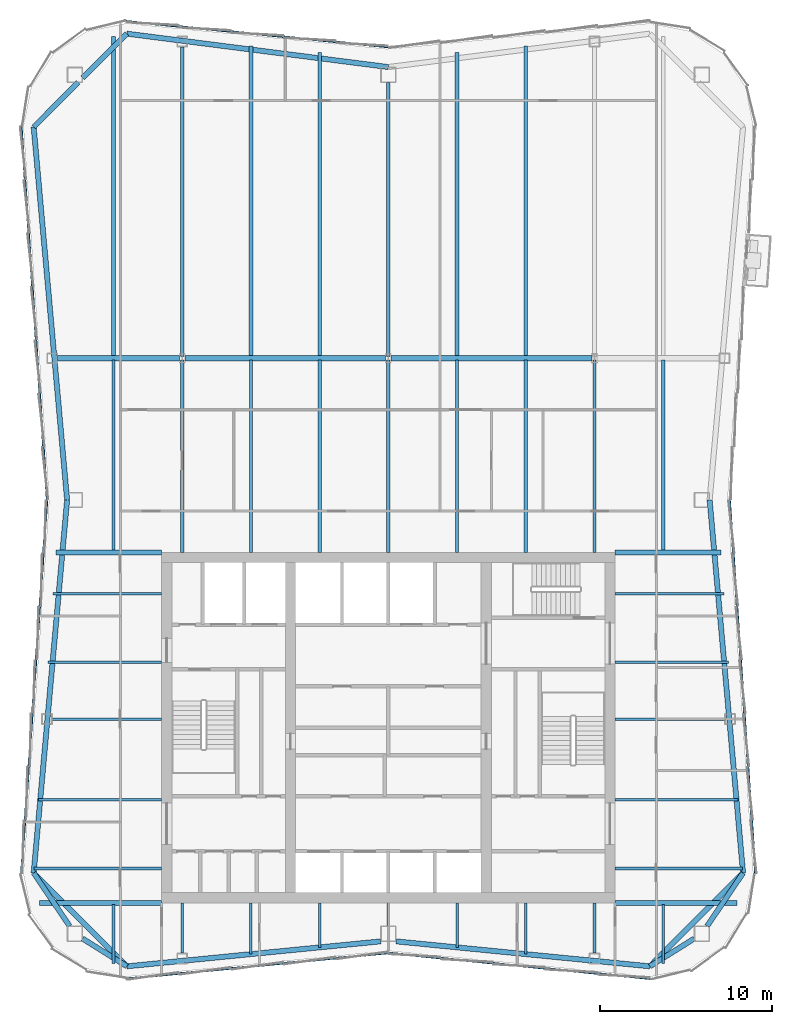
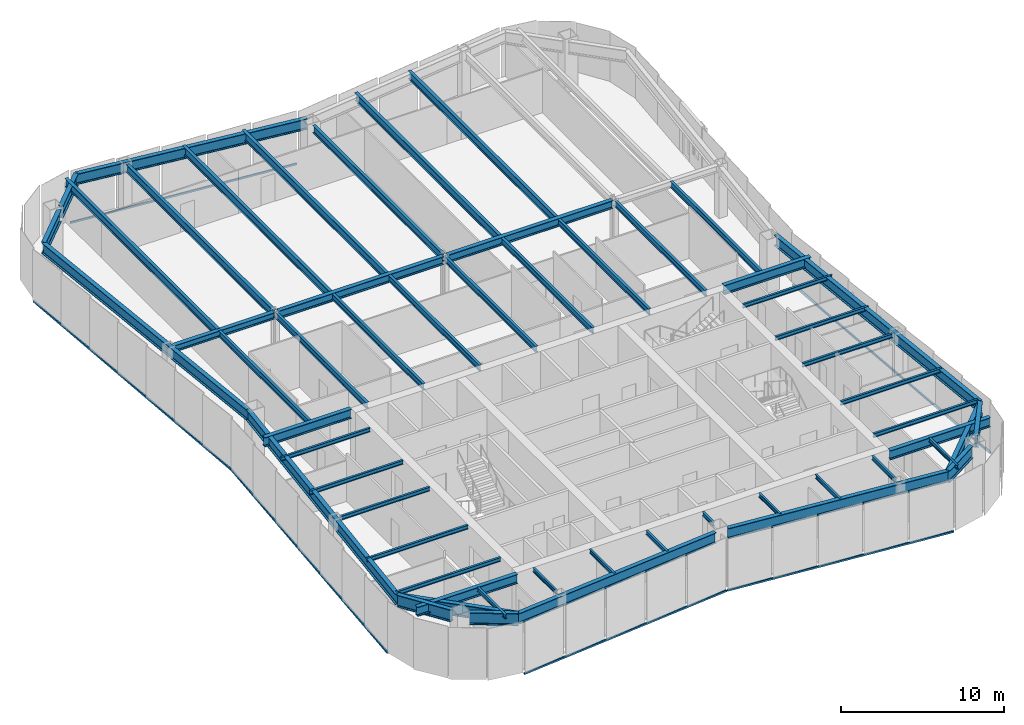
# One storey, part 3 of 11: 56 beams, 6 members, 4 elements without a shape of their own.
"""IFC4 building model written with IfcOpenShell, lengths in metres."""

import ifcopenshell
import ifcopenshell.guid

model = None  # the IFC model being written
_history = None  # IfcOwnerHistory: only IFC2X3 demands one
_inside = {}  # id of a spatial element -> (the spatial element, [elements in it])
_under = {}  # id of a project, library or spatial element -> (it, [spatial elements below it])
_declared = {}  # id of a project -> (the project, [libraries it declares])
_typed = {}  # id of a type object -> (the type object, [elements of that type])
_made_of = {}  # id of a material, layer set ... -> (it, [elements and type objects made of it])


def new_model(schema):
    """Start an empty IFC model of exactly this schema.

    Asked for "IFC4X3", IfcOpenShell would pick the latest addendum, in which some entities
    have other attributes; the version numbers below select the first issue.
    IFC2X3 requires an IfcOwnerHistory on every rooted entity: one is made here for all.
    """
    global model, _history
    if schema == "IFC4X3":
        model = ifcopenshell.file(schema_version=(4, 3, 0, 0))
    else:
        model = ifcopenshell.file(schema=schema)
    _inside.clear()
    _under.clear()
    _declared.clear()
    _typed.clear()
    _made_of.clear()
    _history = None
    if model.schema == "IFC2X3":
        org = make("IfcOrganization", Name="unknown")
        user = make(
            "IfcPersonAndOrganization",
            ThePerson=make("IfcPerson", FamilyName="unknown"),
            TheOrganization=org,
        )
        app = make(
            "IfcApplication",
            ApplicationDeveloper=org,
            Version="unknown",
            ApplicationFullName="unknown",
            ApplicationIdentifier="unknown",
        )
        _history = make(
            "IfcOwnerHistory",
            OwningUser=user,
            OwningApplication=app,
            ChangeAction="ADDED",
            CreationDate=0,
        )
    return model


def make(cls, **values):
    """One entity of the class cls with the attributes given. An attribute that is None is left unset."""
    return model.create_entity(
        cls, **{name: value for name, value in values.items() if value is not None}
    )


def rooted(cls, **values):
    """An entity with a GlobalId (a new one), such as an element, a storey or a relation."""
    return make(cls, GlobalId=ifcopenshell.guid.new(), OwnerHistory=_history, **values)


def si_unit(unit_type, name, prefix=None):
    """IfcSIUnit, for example si_unit("LENGTHUNIT", "METRE", prefix="MILLI")."""
    return make("IfcSIUnit", UnitType=unit_type, Prefix=prefix, Name=name)


def assignment(units):
    """IfcUnitAssignment: the units of a project."""
    return None if units is None else make("IfcUnitAssignment", Units=units)


def point(xyz):
    """IfcCartesianPoint."""
    return None if xyz is None else make("IfcCartesianPoint", Coordinates=xyz)


def direction(xyz):
    """IfcDirection."""
    return None if xyz is None else make("IfcDirection", DirectionRatios=xyz)


def frame(location, z_axis=None, x_axis=None):
    """IfcAxis2Placement3D, a coordinate frame: its origin and axes. An axis left out is left unset."""
    return make(
        "IfcAxis2Placement3D",
        Location=point(location),
        Axis=direction(z_axis),
        RefDirection=direction(x_axis),
    )


def frame_2d(location, x_axis=None):
    """IfcAxis2Placement2D, a coordinate frame in the plane: its origin and x axis."""
    return make(
        "IfcAxis2Placement2D", Location=point(location), RefDirection=direction(x_axis)
    )


def origin():
    """The frame at (0, 0, 0) with its axes left unset."""
    return frame((0.0, 0.0, 0.0))


def origin_2d():
    """The frame at (0, 0) in the plane with its x axis left unset."""
    return frame_2d((0.0, 0.0))


def place(relative_to, where):
    """IfcLocalPlacement: puts the frame where relative to a parent placement (None: the world)."""
    return make(
        "IfcLocalPlacement", PlacementRelTo=relative_to, RelativePlacement=where
    )


def context(
    kind, dimensions, precision=None, world=None, true_north=None, identifier=None
):
    """IfcGeometricRepresentationContext, for example the 3D "Model" context."""
    return make(
        "IfcGeometricRepresentationContext",
        ContextIdentifier=identifier,
        ContextType=kind,
        CoordinateSpaceDimension=dimensions,
        Precision=precision,
        WorldCoordinateSystem=world,
        TrueNorth=true_north,
    )


def subcontext(parent, identifier, kind, view, scale=None):
    """IfcGeometricRepresentationSubContext, for example "Body" below "Model"."""
    return make(
        "IfcGeometricRepresentationSubContext",
        ContextIdentifier=identifier,
        ContextType=kind,
        ParentContext=parent,
        TargetScale=scale,
        TargetView=view,
    )


def project(units=None, contexts=None):
    """IfcProject with its units and contexts."""
    return rooted(
        "IfcProject",
        Name="project",
        RepresentationContexts=contexts,
        UnitsInContext=assignment(units),
    )


def spatial(cls, under=None, at=None, **own):
    """A site, building, storey or space (cls), placed at a placement, below another one or the project."""
    s = rooted(cls, ObjectPlacement=at, **own)
    if under is not None:
        _under.setdefault(under.id(), (under, []))[1].append(s)
    return s


def profile(cls, at=None, kind="AREA", **sizes):
    """A parametric profile (cls). Its sizes go by their IFC names, for example OverallWidth=200.0."""
    return make(cls, ProfileType=kind, Position=at, **sizes)


def rectangle(**sizes):
    """IfcRectangleProfileDef."""
    return profile("IfcRectangleProfileDef", **sizes)


def i_section(**sizes):
    """IfcIShapeProfileDef."""
    return profile("IfcIShapeProfileDef", **sizes)


def extrude(swept, where, along, depth):
    """IfcExtrudedAreaSolid: the profile swept, set in the frame where, extruded along a direction by depth."""
    return make(
        "IfcExtrudedAreaSolid",
        SweptArea=swept,
        Position=where,
        ExtrudedDirection=direction(along),
        Depth=depth,
    )


def shape(context_of_items, identifier, shape_type, items):
    """IfcShapeRepresentation: the items that make up one representation, for example the "Body"."""
    return make(
        "IfcShapeRepresentation",
        ContextOfItems=context_of_items,
        RepresentationIdentifier=identifier,
        RepresentationType=shape_type,
        Items=items,
    )


def material(Name=None, Category=None):
    """IfcMaterial."""
    return make("IfcMaterial", Name=Name, Category=Category)


def material_profile(
    of_material, cross_section, Name=None, Category=None, Priority=None
):
    """IfcMaterialProfile: a cross section and its material."""
    return make(
        "IfcMaterialProfile",
        Name=Name,
        Material=of_material,
        Profile=cross_section,
        Priority=Priority,
        Category=Category,
    )


def profile_set(profiles, Name=None, composite=None):
    """IfcMaterialProfileSet."""
    return make(
        "IfcMaterialProfileSet",
        Name=Name,
        MaterialProfiles=profiles,
        CompositeProfile=composite,
    )


def made_of(thing, what):
    """Note that an element or type object is made of a material, layer set ...; save() writes the relation."""
    if what is not None:
        _made_of.setdefault(what.id(), (what, []))[1].append(thing)
    return thing


def type_object(cls, material=None, **own):
    """A type object (cls), such as IfcWallType, which elements share."""
    return made_of(rooted(cls, **own), material)


def element(
    cls,
    number,
    at=None,
    inside=None,
    cuts=None,
    type_object=None,
    material=None,
    context=None,
    identifier="Body",
    shape_type=None,
    held_by="IfcProductDefinitionShape",
    body=None,
    shapes=None,
    **own,
):
    """One element of the class cls, such as IfcWall. Its Tag is "e" and its number.

    at: its placement. inside: the storey or other place that contains it. cuts: it is an
    opening in that element (IfcRelVoidsElement). A single representation is given by context,
    identifier, shape_type and body (its items); several are given by shapes. held_by: the class
    of the entity that holds the representations. save() writes the other relations.
    """
    e = rooted(cls, Tag="e%d" % number, ObjectPlacement=at, **own)
    if body is not None:
        shapes = [shape(context, identifier, shape_type, body)]
    if shapes is not None:
        e.Representation = make(held_by, Representations=shapes)
    if inside is not None:
        _inside.setdefault(inside.id(), (inside, []))[1].append(e)
    if cuts is not None:
        rooted(
            "IfcRelVoidsElement", RelatingBuildingElement=cuts, RelatedOpeningElement=e
        )
    if type_object is not None:
        _typed.setdefault(type_object.id(), (type_object, []))[1].append(e)
    return made_of(e, material)


def aggregate(whole, parts):
    """IfcRelAggregates: a whole, such as a stair, and the parts it consists of."""
    return rooted("IfcRelAggregates", RelatingObject=whole, RelatedObjects=parts)


def save(model, path):
    """Write the relations noted so far, then the file.

    IfcRelAggregates (storeys below a building ...), IfcRelContainedInSpatialStructure (elements
    in a storey), IfcRelDefinesByType, IfcRelAssociatesMaterial and IfcRelDeclares: one each for
    every whole, place, type object, material and project.
    """
    for whole, parts in _under.values():
        aggregate(whole, parts)
    for where, things in _inside.values():
        rooted(
            "IfcRelContainedInSpatialStructure",
            RelatedElements=things,
            RelatingStructure=where,
        )
    for kind, things in _typed.values():
        rooted("IfcRelDefinesByType", RelatedObjects=things, RelatingType=kind)
    for what, things in _made_of.values():
        rooted("IfcRelAssociatesMaterial", RelatedObjects=things, RelatingMaterial=what)
    for by, libraries in _declared.values():
        rooted("IfcRelDeclares", RelatingContext=by, RelatedDefinitions=libraries)
    model.write(path)


model = new_model("IFC4")

# Units and contexts
model_context = context("Model", 3, precision=1e-05, world=origin(), true_north=direction((0.0, 1.0)))
body_context = subcontext(model_context, "Body", "Model", "MODEL_VIEW")
ifc_project = project(units=[si_unit("LENGTHUNIT", "METRE"), si_unit("AREAUNIT", "SQUARE_METRE"), si_unit("VOLUMEUNIT", "CUBIC_METRE"), si_unit("PLANEANGLEUNIT", "RADIAN"), si_unit("MASSUNIT", "GRAM", prefix="KILO")], contexts=[model_context])

# Site, building, storey
site_placement = place(None, origin())
site = spatial("IfcSite", under=ifc_project, at=site_placement, CompositionType="ELEMENT")
building_placement = place(site_placement, origin())
building = spatial("IfcBuilding", under=site, at=building_placement, Name="Verdant Reach Tower", CompositionType="ELEMENT")
storey_placement = place(building_placement, frame((0.0, 0.0, 298.0)))
storey = spatial("IfcBuildingStorey", under=building, at=storey_placement, Name="L68", CompositionType="ELEMENT", Elevation=298.0)

# Curtain wall, member
ifc_material_1 = material(Name="Anodised aluminium", Category="aluminium")
curtain_wall_type = type_object("IfcCurtainWallType", Name="EN-CW SYSTEM Z5", PredefinedType="NOTDEFINED", material=ifc_material_1)
curtain_wall_1_placement = place(storey_placement, origin())
curtain_wall_1 = element("IfcCurtainWall", 1, at=curtain_wall_1_placement, inside=storey, type_object=curtain_wall_type, Name="Curtain wall east, L68", PredefinedType="NOTDEFINED")
ifc_material_profile_1 = material_profile(ifc_material_1, rectangle(XDim=0.10009765625, YDim=0.1298828125, at=origin_2d()), Name="Transom 130x100")
ifc_profile_set_1 = profile_set([ifc_material_profile_1], Name="Anodised aluminium")
member_type = type_object("IfcMemberType", Name="EN-TRANSOM Z5", PredefinedType="USERDEFINED", material=ifc_profile_set_1)
member_1_placement = place(storey_placement, frame((21.3623046875, 19.527587890625, -0.284912109375), z_axis=(-0.068764705107, 0.997632906099, 0.0), x_axis=(-0.997632906099, -0.068764705107, 0.0)))
member_1 = element("IfcMember", 2, at=member_1_placement, type_object=member_type, Name="Transom east face part 1 1.1, L68", ObjectType="TRANSOM", PredefinedType="USERDEFINED", context=body_context, shape_type="SweptSolid", body=[
    extrude(rectangle(XDim=0.10009765625, YDim=0.1298828125, at=origin_2d()), origin(), (0.0, 0.0, 1.0), 21.739013671875),
])
aggregate(curtain_wall_1, [member_1])

curtain_wall_2_placement = place(storey_placement, origin())
curtain_wall_2 = element("IfcCurtainWall", 3, at=curtain_wall_2_placement, inside=storey, type_object=curtain_wall_type, Name="Curtain wall north, L68", PredefinedType="NOTDEFINED")
member_2_placement = place(storey_placement, frame((-0.034912109375, 67.618408203125, -0.284912109375), z_axis=(-0.99520229006, 0.097838652171, 0.0), x_axis=(-0.097838652171, -0.99520229006, 0.0)))
member_2 = element("IfcMember", 4, at=member_2_placement, type_object=member_type, Name="Transom north face part 2 1.1, L68", ObjectType="TRANSOM", PredefinedType="USERDEFINED", context=body_context, shape_type="SweptSolid", body=[
    extrude(rectangle(XDim=0.10009765625, YDim=0.1298828125, at=origin_2d()), origin(), (0.0, 0.0, 1.0), 15.259033203125),
])
aggregate(curtain_wall_2, [member_2])

# Curtain wall, members
curtain_wall_3_placement = place(storey_placement, origin())
curtain_wall_3 = element("IfcCurtainWall", 5, at=curtain_wall_3_placement, inside=storey, type_object=curtain_wall_type, Name="Curtain wall west, L68", PredefinedType="NOTDEFINED")
member_3_placement = place(storey_placement, frame((-21.3623046875, 62.972412109375, -0.284912109375), z_axis=(0.068764705107, -0.997632906099, 0.0), x_axis=(0.997632906099, 0.068764705107, 0.0)))
member_3 = element("IfcMember", 6, at=member_3_placement, type_object=member_type, Name="Transom west face part 1 1.1, L68", ObjectType="TRANSOM", PredefinedType="USERDEFINED", context=body_context, shape_type="SweptSolid", body=[
    extrude(rectangle(XDim=0.10009765625, YDim=0.1298828125, at=origin_2d()), origin(), (0.0, 0.0, 1.0), 21.739013671875),
])
member_4_placement = place(storey_placement, frame((-19.867431640625, 41.215087890625, -0.284912109375), z_axis=(-0.068764705107, -0.997632906099, 0.0), x_axis=(0.997632906099, -0.068764705107, 0.0)))
member_4 = element("IfcMember", 7, at=member_4_placement, type_object=member_type, Name="Transom west face part 2 1.1, L68", ObjectType="TRANSOM", PredefinedType="USERDEFINED", context=body_context, shape_type="SweptSolid", body=[
    extrude(rectangle(XDim=0.10009765625, YDim=0.1298828125, at=origin_2d()), origin(), (0.0, 0.0, 1.0), 21.739013671875),
])
aggregate(curtain_wall_3, [member_3, member_4])

curtain_wall_4_placement = place(storey_placement, origin())
curtain_wall_4 = element("IfcCurtainWall", 8, at=curtain_wall_4_placement, inside=storey, type_object=curtain_wall_type, Name="Curtain wall south, L68", PredefinedType="NOTDEFINED")
member_5_placement = place(storey_placement, frame((-15.220703125, 13.388671875, -0.284912109375), z_axis=(0.99520229006, 0.097838652171, 0.0), x_axis=(-0.097838652171, 0.99520229006, 0.0)))
member_5 = element("IfcMember", 9, at=member_5_placement, type_object=member_type, Name="Transom south face part 1 1.1, L68", ObjectType="TRANSOM", PredefinedType="USERDEFINED", context=body_context, shape_type="SweptSolid", body=[
    extrude(rectangle(XDim=0.10009765625, YDim=0.1298828125, at=origin_2d()), origin(), (0.0, 0.0, 1.0), 15.259033203125),
])
member_6_placement = place(storey_placement, frame((0.034912109375, 14.881591796875, -0.284912109375), z_axis=(0.99520229006, -0.097838652171, 0.0), x_axis=(0.097838652171, 0.99520229006, 0.0)))
member_6 = element("IfcMember", 10, at=member_6_placement, type_object=member_type, Name="Transom south face part 2 1.1, L68", ObjectType="TRANSOM", PredefinedType="USERDEFINED", context=body_context, shape_type="SweptSolid", body=[
    extrude(rectangle(XDim=0.10009765625, YDim=0.1298828125, at=origin_2d()), origin(), (0.0, 0.0, 1.0), 15.259033203125),
])
aggregate(curtain_wall_4, [member_5, member_6])

# Beams
ifc_material_2 = material(Name="Steel S355", Category="steel")
ifc_material_profile_2 = material_profile(ifc_material_2, i_section(OverallWidth=0.300048828125, OverallDepth=0.489990234375, WebThickness=0.011962890625, FlangeThickness=0.02294921875, FilletRadius=0.027099609375, at=origin_2d()), Name="HEA 500")
ifc_profile_set_2 = profile_set([ifc_material_profile_2], Name="Steel S355")
beam_type_1 = type_object("IfcBeamType", Name="ST-BEAM-HEA500", PredefinedType="BEAM", material=ifc_profile_set_2)
beam_1_placement = place(storey_placement, frame((-19.26904296875, 49.5, 3.625), z_axis=(1.0, 0.0, 0.0), x_axis=(0.0, 1.0, 0.0)))
element("IfcBeam", 11, at=beam_1_placement, inside=storey, type_object=beam_type_1, Name="Row girder, L68", PredefinedType="BEAM", context=body_context, shape_type="SweptSolid", body=[
    extrude(i_section(OverallWidth=0.300048828125, OverallDepth=0.489990234375, WebThickness=0.011962890625, FlangeThickness=0.02294921875, FilletRadius=0.027099609375, at=origin_2d()), origin(), (0.0, 0.0, 1.0), 7.115966796875),
])
ifc_material_profile_3 = material_profile(ifc_material_2, i_section(OverallWidth=0.300048828125, OverallDepth=0.60009765625, WebThickness=0.015380859375, FlangeThickness=0.030029296875, FilletRadius=0.027099609375, at=origin_2d()), Name="HEB 600")
ifc_profile_set_3 = profile_set([ifc_material_profile_3], Name="Steel S355")
beam_type_2 = type_object("IfcBeamType", Name="ST-BEAM-HEB600", PredefinedType="BEAM", material=ifc_profile_set_3)
for number, where, z_axis, x_axis, name in (
    (12, (-11.846923828125, 49.5, 3.570068359375), (1.0, 0.0, 0.0), (0.0, 1.0, 0.0), "Row girder, L68"),
    (13, (0.153076171875, 49.5, 3.570068359375), (1.0, 0.0, 0.0), (0.0, 1.0, 0.0), "Row girder, L68"),
):
    element("IfcBeam", number, at=place(storey_placement, frame(where, z_axis=z_axis, x_axis=x_axis)), inside=storey, type_object=beam_type_2, Name=name, PredefinedType="BEAM", context=body_context, shape_type="SweptSolid", body=[
        extrude(i_section(OverallWidth=0.300048828125, OverallDepth=0.60009765625, WebThickness=0.015380859375, FlangeThickness=0.030029296875, FilletRadius=0.027099609375, at=origin_2d()), origin(), (0.0, 0.0, 1.0), 11.69384765625),
    ])
ifc_material_profile_4 = material_profile(ifc_material_2, i_section(OverallWidth=0.300048828125, OverallDepth=0.699951171875, WebThickness=0.01708984375, FlangeThickness=0.031982421875, FilletRadius=0.027099609375, at=origin_2d()), Name="HEB 700")
ifc_profile_set_4 = profile_set([ifc_material_profile_4], Name="Steel S355")
beam_type_3 = type_object("IfcBeamType", Name="ST-BEAM-HEB700", PredefinedType="BEAM", material=ifc_profile_set_4)
for number, where, z_axis, x_axis, name in (
    (14, (13.199951171875, 38.199951171875, 3.52001953125), (1.0, 0.0, 0.0), (0.0, 1.0, 0.0), "Trimmer beam, L68"),
    (15, (-13.199951171875, 38.199951171875, 3.52001953125), (-1.0, 0.0, 0.0), (0.0, -1.0, 0.0), "Trimmer beam, L68"),
):
    element("IfcBeam", number, at=place(storey_placement, frame(where, z_axis=z_axis, x_axis=x_axis)), inside=storey, type_object=beam_type_3, Name=name, PredefinedType="BEAM", context=body_context, shape_type="SweptSolid", body=[
        extrude(i_section(OverallWidth=0.300048828125, OverallDepth=0.699951171875, WebThickness=0.01708984375, FlangeThickness=0.031982421875, FilletRadius=0.027099609375, at=origin_2d()), origin(), (0.0, 0.0, 1.0), 6.158935546875),
    ])
for number, where, z_axis, x_axis, name in (
    (16, (13.199951171875, 17.800048828125, 3.52001953125), (1.0, 0.0, 0.0), (0.0, 1.0, 0.0), "Trimmer beam, L68"),
    (17, (-13.199951171875, 17.800048828125, 3.52001953125), (-1.0, 0.0, 0.0), (0.0, -1.0, 0.0), "Trimmer beam, L68"),
):
    element("IfcBeam", number, at=place(storey_placement, frame(where, z_axis=z_axis, x_axis=x_axis)), inside=storey, type_object=beam_type_3, Name=name, PredefinedType="BEAM", context=body_context, shape_type="SweptSolid", body=[
        extrude(i_section(OverallWidth=0.300048828125, OverallDepth=0.699951171875, WebThickness=0.01708984375, FlangeThickness=0.031982421875, FilletRadius=0.027099609375, at=origin_2d()), origin(), (0.0, 0.0, 1.0), 7.10009765625),
    ])
ifc_material_profile_5 = material_profile(ifc_material_2, i_section(OverallWidth=0.302001953125, OverallDepth=0.909912109375, WebThickness=0.02099609375, FlangeThickness=0.0400390625, FilletRadius=0.030029296875, at=origin_2d()), Name="HEM 900")
ifc_profile_set_5 = profile_set([ifc_material_profile_5], Name="Steel S355")
beam_type_4 = type_object("IfcBeamType", Name="ST-BEAM-HEM900", PredefinedType="BEAM", material=ifc_profile_set_5)
beam_2_placement = place(storey_placement, frame((17.800048828125, 15.71875, 3.4150390625), z_axis=(-0.847903624467, -0.530150397166, 0.0), x_axis=(0.530150397166, -0.847903624467, 0.0)))
element("IfcBeam", 18, at=beam_2_placement, inside=storey, type_object=beam_type_4, Name="Column stub beam, L68", PredefinedType="BEAM", context=body_context, shape_type="SweptSolid", body=[
    extrude(i_section(OverallWidth=0.302001953125, OverallDepth=0.909912109375, WebThickness=0.02099609375, FlangeThickness=0.0400390625, FilletRadius=0.030029296875, at=origin_2d()), origin(), (0.0, 0.0, 1.0), 3.042724609375),
])
beam_3_placement = place(storey_placement, frame((18.5546875, 16.449951171875, 3.4150390625), z_axis=(0.560667226688, 0.828041219335, 0.0), x_axis=(-0.828041219335, 0.560667226688, 0.0)))
element("IfcBeam", 19, at=beam_3_placement, inside=storey, type_object=beam_type_4, Name="Column stub beam, L68", PredefinedType="BEAM", context=body_context, shape_type="SweptSolid", body=[
    extrude(i_section(OverallWidth=0.302001953125, OverallDepth=0.909912109375, WebThickness=0.02099609375, FlangeThickness=0.0400390625, FilletRadius=0.030029296875, at=origin_2d()), origin(), (0.0, 0.0, 1.0), 3.72998046875),
])
beam_4_placement = place(storey_placement, frame((-17.800048828125, 15.71875, 3.4150390625), z_axis=(0.847903624467, -0.530150397166, 0.0), x_axis=(0.530150397166, 0.847903624467, 0.0)))
element("IfcBeam", 20, at=beam_4_placement, inside=storey, type_object=beam_type_4, Name="Column stub beam, L68", PredefinedType="BEAM", context=body_context, shape_type="SweptSolid", body=[
    extrude(i_section(OverallWidth=0.302001953125, OverallDepth=0.909912109375, WebThickness=0.02099609375, FlangeThickness=0.0400390625, FilletRadius=0.030029296875, at=origin_2d()), origin(), (0.0, 0.0, 1.0), 3.042724609375),
])
beam_5_placement = place(storey_placement, frame((-18.5546875, 16.449951171875, 3.4150390625), z_axis=(-0.560667226688, 0.828041219335, 0.0), x_axis=(-0.828041219335, -0.560667226688, 0.0)))
element("IfcBeam", 21, at=beam_5_placement, inside=storey, type_object=beam_type_4, Name="Column stub beam, L68", PredefinedType="BEAM", context=body_context, shape_type="SweptSolid", body=[
    extrude(i_section(OverallWidth=0.302001953125, OverallDepth=0.909912109375, WebThickness=0.02099609375, FlangeThickness=0.0400390625, FilletRadius=0.030029296875, at=origin_2d()), origin(), (0.0, 0.0, 1.0), 3.72998046875),
])
ifc_material_profile_6 = material_profile(ifc_material_2, i_section(OverallWidth=0.14990234375, OverallDepth=0.300048828125, WebThickness=0.007080078125, FlangeThickness=0.0107421875, FilletRadius=0.014892578125, at=origin_2d()), Name="IPE 300")
ifc_profile_set_6 = profile_set([ifc_material_profile_6], Name="Steel S355")
beam_type_5 = type_object("IfcBeamType", Name="ST-JOIST-IPE300", PredefinedType="JOIST", material=ifc_profile_set_6)
beam_6_placement = place(storey_placement, frame((-16.0, 17.699951171875, 3.719970703125), z_axis=(0.0, -1.0, 0.0), x_axis=(1.0, 0.0, 0.0)))
element("IfcBeam", 22, at=beam_6_placement, inside=storey, type_object=beam_type_5, Name="Floor joist, L68", PredefinedType="JOIST", context=body_context, shape_type="SweptSolid", body=[
    extrude(i_section(OverallWidth=0.14990234375, OverallDepth=0.300048828125, WebThickness=0.007080078125, FlangeThickness=0.0107421875, FilletRadius=0.014892578125, at=origin_2d()), origin(), (0.0, 0.0, 1.0), 3.43896484375),
])
beam_7_placement = place(storey_placement, frame((-12.0, 17.800048828125, 3.719970703125), z_axis=(0.0, -1.0, 0.0), x_axis=(1.0, 0.0, 0.0)))
element("IfcBeam", 23, at=beam_7_placement, inside=storey, type_object=beam_type_5, Name="Floor joist, L68", PredefinedType="JOIST", context=body_context, shape_type="SweptSolid", body=[
    extrude(i_section(OverallWidth=0.14990234375, OverallDepth=0.300048828125, WebThickness=0.007080078125, FlangeThickness=0.0107421875, FilletRadius=0.014892578125, at=origin_2d()), origin(), (0.0, 0.0, 1.0), 2.930419921875),
])
beam_8_placement = place(storey_placement, frame((-8.0, 17.800048828125, 3.719970703125), z_axis=(0.0, -1.0, 0.0), x_axis=(1.0, 0.0, 0.0)))
element("IfcBeam", 24, at=beam_8_placement, inside=storey, type_object=beam_type_5, Name="Floor joist, L68", PredefinedType="JOIST", context=body_context, shape_type="SweptSolid", body=[
    extrude(i_section(OverallWidth=0.14990234375, OverallDepth=0.300048828125, WebThickness=0.007080078125, FlangeThickness=0.0107421875, FilletRadius=0.014892578125, at=origin_2d()), origin(), (0.0, 0.0, 1.0), 2.984130859375),
])
beam_9_placement = place(storey_placement, frame((-4.0, 17.800048828125, 3.719970703125), z_axis=(0.0, -1.0, 0.0), x_axis=(1.0, 0.0, 0.0)))
element("IfcBeam", 25, at=beam_9_placement, inside=storey, type_object=beam_type_5, Name="Floor joist, L68", PredefinedType="JOIST", context=body_context, shape_type="SweptSolid", body=[
    extrude(i_section(OverallWidth=0.14990234375, OverallDepth=0.300048828125, WebThickness=0.007080078125, FlangeThickness=0.0107421875, FilletRadius=0.014892578125, at=origin_2d()), origin(), (0.0, 0.0, 1.0), 2.590576171875),
])
beam_10_placement = place(storey_placement, frame((0.0, 17.800048828125, 3.719970703125), z_axis=(0.0, -1.0, 0.0), x_axis=(1.0, 0.0, 0.0)))
element("IfcBeam", 26, at=beam_10_placement, inside=storey, type_object=beam_type_5, Name="Floor joist, L68", PredefinedType="JOIST", context=body_context, shape_type="SweptSolid", body=[
    extrude(i_section(OverallWidth=0.14990234375, OverallDepth=0.300048828125, WebThickness=0.007080078125, FlangeThickness=0.0107421875, FilletRadius=0.014892578125, at=origin_2d()), origin(), (0.0, 0.0, 1.0), 1.35009765625),
])
beam_11_placement = place(storey_placement, frame((4.0, 17.800048828125, 3.719970703125), z_axis=(0.0, -1.0, 0.0), x_axis=(1.0, 0.0, 0.0)))
element("IfcBeam", 27, at=beam_11_placement, inside=storey, type_object=beam_type_5, Name="Floor joist, L68", PredefinedType="JOIST", context=body_context, shape_type="SweptSolid", body=[
    extrude(i_section(OverallWidth=0.14990234375, OverallDepth=0.300048828125, WebThickness=0.007080078125, FlangeThickness=0.0107421875, FilletRadius=0.014892578125, at=origin_2d()), origin(), (0.0, 0.0, 1.0), 2.590576171875),
])
beam_12_placement = place(storey_placement, frame((8.0, 17.800048828125, 3.719970703125), z_axis=(0.0, -1.0, 0.0), x_axis=(1.0, 0.0, 0.0)))
element("IfcBeam", 28, at=beam_12_placement, inside=storey, type_object=beam_type_5, Name="Floor joist, L68", PredefinedType="JOIST", context=body_context, shape_type="SweptSolid", body=[
    extrude(i_section(OverallWidth=0.14990234375, OverallDepth=0.300048828125, WebThickness=0.007080078125, FlangeThickness=0.0107421875, FilletRadius=0.014892578125, at=origin_2d()), origin(), (0.0, 0.0, 1.0), 2.984130859375),
])
beam_13_placement = place(storey_placement, frame((12.0, 17.800048828125, 3.719970703125), z_axis=(0.0, -1.0, 0.0), x_axis=(1.0, 0.0, 0.0)))
element("IfcBeam", 29, at=beam_13_placement, inside=storey, type_object=beam_type_5, Name="Floor joist, L68", PredefinedType="JOIST", context=body_context, shape_type="SweptSolid", body=[
    extrude(i_section(OverallWidth=0.14990234375, OverallDepth=0.300048828125, WebThickness=0.007080078125, FlangeThickness=0.0107421875, FilletRadius=0.014892578125, at=origin_2d()), origin(), (0.0, 0.0, 1.0), 2.930419921875),
])
beam_14_placement = place(storey_placement, frame((16.0, 17.699951171875, 3.719970703125), z_axis=(0.0, -1.0, 0.0), x_axis=(1.0, 0.0, 0.0)))
element("IfcBeam", 30, at=beam_14_placement, inside=storey, type_object=beam_type_5, Name="Floor joist, L68", PredefinedType="JOIST", context=body_context, shape_type="SweptSolid", body=[
    extrude(i_section(OverallWidth=0.14990234375, OverallDepth=0.300048828125, WebThickness=0.007080078125, FlangeThickness=0.0107421875, FilletRadius=0.014892578125, at=origin_2d()), origin(), (0.0, 0.0, 1.0), 3.43896484375),
])
for number, where, z_axis, x_axis, name in (
    (31, (13.199951171875, 19.800048828125, 3.719970703125), (1.0, 0.0, 0.0), (0.0, 1.0, 0.0), "Floor joist, L68"),
    (32, (-13.199951171875, 19.800048828125, 3.719970703125), (-1.0, 0.0, 0.0), (0.0, -1.0, 0.0), "Floor joist, L68"),
):
    element("IfcBeam", number, at=place(storey_placement, frame(where, z_axis=z_axis, x_axis=x_axis)), inside=storey, type_object=beam_type_5, Name=name, PredefinedType="JOIST", context=body_context, shape_type="SweptSolid", body=[
        extrude(i_section(OverallWidth=0.14990234375, OverallDepth=0.300048828125, WebThickness=0.007080078125, FlangeThickness=0.0107421875, FilletRadius=0.014892578125, at=origin_2d()), origin(), (0.0, 0.0, 1.0), 7.427978515625),
    ])
for number, where, z_axis, x_axis, name in (
    (33, (13.199951171875, 23.800048828125, 3.719970703125), (1.0, 0.0, 0.0), (0.0, 1.0, 0.0), "Floor joist, L68"),
    (34, (-13.199951171875, 23.800048828125, 3.719970703125), (-1.0, 0.0, 0.0), (0.0, -1.0, 0.0), "Floor joist, L68"),
):
    element("IfcBeam", number, at=place(storey_placement, frame(where, z_axis=z_axis, x_axis=x_axis)), inside=storey, type_object=beam_type_5, Name=name, PredefinedType="JOIST", context=body_context, shape_type="SweptSolid", body=[
        extrude(i_section(OverallWidth=0.14990234375, OverallDepth=0.300048828125, WebThickness=0.007080078125, FlangeThickness=0.0107421875, FilletRadius=0.014892578125, at=origin_2d()), origin(), (0.0, 0.0, 1.0), 7.152099609375),
    ])
for number, where, z_axis, x_axis, name in (
    (35, (13.199951171875, 28.5, 3.719970703125), (1.0, 0.0, 0.0), (0.0, 1.0, 0.0), "Floor joist, L68"),
    (36, (-13.199951171875, 28.5, 3.719970703125), (-1.0, 0.0, 0.0), (0.0, -1.0, 0.0), "Floor joist, L68"),
):
    element("IfcBeam", number, at=place(storey_placement, frame(where, z_axis=z_axis, x_axis=x_axis)), inside=storey, type_object=beam_type_5, Name=name, PredefinedType="JOIST", context=body_context, shape_type="SweptSolid", body=[
        extrude(i_section(OverallWidth=0.14990234375, OverallDepth=0.300048828125, WebThickness=0.007080078125, FlangeThickness=0.0107421875, FilletRadius=0.014892578125, at=origin_2d()), origin(), (0.0, 0.0, 1.0), 6.37939453125),
    ])
for number, where, z_axis, x_axis, name in (
    (37, (13.199951171875, 31.800048828125, 3.719970703125), (1.0, 0.0, 0.0), (0.0, 1.0, 0.0), "Floor joist, L68"),
    (38, (-13.199951171875, 31.800048828125, 3.719970703125), (-1.0, 0.0, 0.0), (0.0, -1.0, 0.0), "Floor joist, L68"),
):
    element("IfcBeam", number, at=place(storey_placement, frame(where, z_axis=z_axis, x_axis=x_axis)), inside=storey, type_object=beam_type_5, Name=name, PredefinedType="JOIST", context=body_context, shape_type="SweptSolid", body=[
        extrude(i_section(OverallWidth=0.14990234375, OverallDepth=0.300048828125, WebThickness=0.007080078125, FlangeThickness=0.0107421875, FilletRadius=0.014892578125, at=origin_2d()), origin(), (0.0, 0.0, 1.0), 6.600341796875),
    ])
for number, where, z_axis, x_axis, name in (
    (39, (13.199951171875, 35.800048828125, 3.719970703125), (1.0, 0.0, 0.0), (0.0, 1.0, 0.0), "Floor joist, L68"),
    (40, (-13.199951171875, 35.800048828125, 3.719970703125), (-1.0, 0.0, 0.0), (0.0, -1.0, 0.0), "Floor joist, L68"),
):
    element("IfcBeam", number, at=place(storey_placement, frame(where, z_axis=z_axis, x_axis=x_axis)), inside=storey, type_object=beam_type_5, Name=name, PredefinedType="JOIST", context=body_context, shape_type="SweptSolid", body=[
        extrude(i_section(OverallWidth=0.14990234375, OverallDepth=0.300048828125, WebThickness=0.007080078125, FlangeThickness=0.0107421875, FilletRadius=0.014892578125, at=origin_2d()), origin(), (0.0, 0.0, 1.0), 6.324462890625),
    ])
ifc_material_profile_7 = material_profile(ifc_material_2, i_section(OverallWidth=0.18994140625, OverallDepth=0.449951171875, WebThickness=0.009521484375, FlangeThickness=0.0146484375, FilletRadius=0.02099609375, at=origin_2d()), Name="IPE 450")
ifc_profile_set_7 = profile_set([ifc_material_profile_7], Name="Steel S355")
beam_type_6 = type_object("IfcBeamType", Name="ST-JOIST-IPE450", PredefinedType="JOIST", material=ifc_profile_set_7)
beam_15_placement = place(storey_placement, frame((-16.0, 38.300048828125, 3.64501953125), z_axis=(0.0, 1.0, 0.0), x_axis=(-1.0, 0.0, 0.0)))
element("IfcBeam", 41, at=beam_15_placement, inside=storey, type_object=beam_type_6, Name="Floor joist, L68", PredefinedType="JOIST", context=body_context, shape_type="SweptSolid", body=[
    extrude(i_section(OverallWidth=0.18994140625, OverallDepth=0.449951171875, WebThickness=0.009521484375, FlangeThickness=0.0146484375, FilletRadius=0.02099609375, at=origin_2d()), origin(), (0.0, 0.0, 1.0), 11.099853515625),
])
for number, where, z_axis, x_axis, name in (
    (42, (-12.0, 38.199951171875, 3.64501953125), (0.0, 1.0, 0.0), (-1.0, 0.0, 0.0), "Floor joist, L68"),
    (43, (-8.0, 38.199951171875, 3.64501953125), (0.0, 1.0, 0.0), (-1.0, 0.0, 0.0), "Floor joist, L68"),
    (44, (-4.0, 38.199951171875, 3.64501953125), (0.0, 1.0, 0.0), (-1.0, 0.0, 0.0), "Floor joist, L68"),
    (45, (0.0, 38.199951171875, 3.64501953125), (0.0, 1.0, 0.0), (-1.0, 0.0, 0.0), "Floor joist, L68"),
    (46, (4.0, 38.199951171875, 3.64501953125), (0.0, 1.0, 0.0), (-1.0, 0.0, 0.0), "Floor joist, L68"),
    (47, (8.0, 38.199951171875, 3.64501953125), (0.0, 1.0, 0.0), (-1.0, 0.0, 0.0), "Floor joist, L68"),
    (48, (12.0, 38.199951171875, 3.64501953125), (0.0, 1.0, 0.0), (-1.0, 0.0, 0.0), "Floor joist, L68"),
):
    element("IfcBeam", number, at=place(storey_placement, frame(where, z_axis=z_axis, x_axis=x_axis)), inside=storey, type_object=beam_type_6, Name=name, PredefinedType="JOIST", context=body_context, shape_type="SweptSolid", body=[
        extrude(i_section(OverallWidth=0.18994140625, OverallDepth=0.449951171875, WebThickness=0.009521484375, FlangeThickness=0.0146484375, FilletRadius=0.02099609375, at=origin_2d()), origin(), (0.0, 0.0, 1.0), 11.199951171875),
    ])
beam_16_placement = place(storey_placement, frame((16.0, 38.300048828125, 3.64501953125), z_axis=(0.0, 1.0, 0.0), x_axis=(-1.0, 0.0, 0.0)))
element("IfcBeam", 49, at=beam_16_placement, inside=storey, type_object=beam_type_6, Name="Floor joist, L68", PredefinedType="JOIST", context=body_context, shape_type="SweptSolid", body=[
    extrude(i_section(OverallWidth=0.18994140625, OverallDepth=0.449951171875, WebThickness=0.009521484375, FlangeThickness=0.0146484375, FilletRadius=0.02099609375, at=origin_2d()), origin(), (0.0, 0.0, 1.0), 11.099853515625),
])
ifc_material_profile_8 = material_profile(ifc_material_2, i_section(OverallWidth=0.2099609375, OverallDepth=0.550048828125, WebThickness=0.010986328125, FlangeThickness=0.01708984375, FilletRadius=0.02392578125, at=origin_2d()), Name="IPE 550")
ifc_profile_set_8 = profile_set([ifc_material_profile_8], Name="Steel S355")
beam_type_7 = type_object("IfcBeamType", Name="ST-JOIST-IPE550", PredefinedType="JOIST", material=ifc_profile_set_8)
beam_17_placement = place(storey_placement, frame((0.0, 49.60009765625, 3.594970703125), z_axis=(0.0, 1.0, 0.0), x_axis=(-1.0, 0.0, 0.0)))
element("IfcBeam", 50, at=beam_17_placement, inside=storey, type_object=beam_type_7, Name="Floor joist, L68", PredefinedType="JOIST", context=body_context, shape_type="SweptSolid", body=[
    extrude(i_section(OverallWidth=0.2099609375, OverallDepth=0.550048828125, WebThickness=0.010986328125, FlangeThickness=0.01708984375, FilletRadius=0.02392578125, at=origin_2d()), origin(), (0.0, 0.0, 1.0), 15.949951171875),
])
ifc_material_profile_9 = material_profile(ifc_material_2, i_section(OverallWidth=0.219970703125, OverallDepth=0.60009765625, WebThickness=0.011962890625, FlangeThickness=0.01904296875, FilletRadius=0.02392578125, at=origin_2d()), Name="IPE 600")
ifc_profile_set_9 = profile_set([ifc_material_profile_9], Name="Steel S355")
beam_type_8 = type_object("IfcBeamType", Name="ST-JOIST-IPE600", PredefinedType="JOIST", material=ifc_profile_set_9)
beam_18_placement = place(storey_placement, frame((-16.0, 49.60009765625, 3.570068359375), z_axis=(0.0, 1.0, 0.0), x_axis=(-1.0, 0.0, 0.0)))
element("IfcBeam", 51, at=beam_18_placement, inside=storey, type_object=beam_type_8, Name="Floor joist, L68", PredefinedType="JOIST", context=body_context, shape_type="SweptSolid", body=[
    extrude(i_section(OverallWidth=0.219970703125, OverallDepth=0.60009765625, WebThickness=0.011962890625, FlangeThickness=0.01904296875, FilletRadius=0.02392578125, at=origin_2d()), origin(), (0.0, 0.0, 1.0), 18.638916015625),
])
beam_19_placement = place(storey_placement, frame((-12.0, 49.60009765625, 3.570068359375), z_axis=(0.0, 1.0, 0.0), x_axis=(-1.0, 0.0, 0.0)))
element("IfcBeam", 52, at=beam_19_placement, inside=storey, type_object=beam_type_8, Name="Floor joist, L68", PredefinedType="JOIST", context=body_context, shape_type="SweptSolid", body=[
    extrude(i_section(OverallWidth=0.219970703125, OverallDepth=0.60009765625, WebThickness=0.011962890625, FlangeThickness=0.01904296875, FilletRadius=0.02392578125, at=origin_2d()), origin(), (0.0, 0.0, 1.0), 18.0302734375),
])
beam_20_placement = place(storey_placement, frame((-8.0, 49.60009765625, 3.570068359375), z_axis=(0.0, 1.0, 0.0), x_axis=(-1.0, 0.0, 0.0)))
element("IfcBeam", 53, at=beam_20_placement, inside=storey, type_object=beam_type_8, Name="Floor joist, L68", PredefinedType="JOIST", context=body_context, shape_type="SweptSolid", body=[
    extrude(i_section(OverallWidth=0.219970703125, OverallDepth=0.60009765625, WebThickness=0.011962890625, FlangeThickness=0.01904296875, FilletRadius=0.02392578125, at=origin_2d()), origin(), (0.0, 0.0, 1.0), 18.083984375),
])
for number, where, z_axis, x_axis, name in (
    (54, (-4.0, 49.60009765625, 3.570068359375), (0.0, 1.0, 0.0), (-1.0, 0.0, 0.0), "Floor joist, L68"),
    (55, (4.0, 49.60009765625, 3.570068359375), (0.0, 1.0, 0.0), (-1.0, 0.0, 0.0), "Floor joist, L68"),
):
    element("IfcBeam", number, at=place(storey_placement, frame(where, z_axis=z_axis, x_axis=x_axis)), inside=storey, type_object=beam_type_8, Name=name, PredefinedType="JOIST", context=body_context, shape_type="SweptSolid", body=[
        extrude(i_section(OverallWidth=0.219970703125, OverallDepth=0.60009765625, WebThickness=0.011962890625, FlangeThickness=0.01904296875, FilletRadius=0.02392578125, at=origin_2d()), origin(), (0.0, 0.0, 1.0), 17.6904296875),
    ])
beam_21_placement = place(storey_placement, frame((8.0, 49.60009765625, 3.570068359375), z_axis=(0.0, 1.0, 0.0), x_axis=(-1.0, 0.0, 0.0)))
element("IfcBeam", 56, at=beam_21_placement, inside=storey, type_object=beam_type_8, Name="Floor joist, L68", PredefinedType="JOIST", context=body_context, shape_type="SweptSolid", body=[
    extrude(i_section(OverallWidth=0.219970703125, OverallDepth=0.60009765625, WebThickness=0.011962890625, FlangeThickness=0.01904296875, FilletRadius=0.02392578125, at=origin_2d()), origin(), (0.0, 0.0, 1.0), 18.083984375),
])
ifc_material_profile_10 = material_profile(ifc_material_2, i_section(OverallWidth=0.300048828125, OverallDepth=0.800048828125, WebThickness=0.017578125, FlangeThickness=0.032958984375, FilletRadius=0.030029296875, at=origin_2d()), Name="HEB 800")
ifc_profile_set_10 = profile_set([ifc_material_profile_10], Name="Steel S355")
beam_type_9 = type_object("IfcBeamType", Name="ST-SPANDREL-HEB800", PredefinedType="SPANDREL", material=ifc_profile_set_10)
for number, where, z_axis, x_axis, name in (
    (57, (15.22021484375, 14.105712890625, 3.469970703125), (-0.995196964263, 0.097892810366, 0.0), (-0.097892810366, -0.995196964263, 0.0), "Edge beam, L68"),
    (58, (-0.449951171875, 15.55859375, 3.469970703125), (-0.995196964263, -0.097892810366, 0.0), (0.097892810366, -0.995196964263, 0.0), "Edge beam, L68"),
):
    element("IfcBeam", number, at=place(storey_placement, frame(where, z_axis=z_axis, x_axis=x_axis)), inside=storey, type_object=beam_type_9, Name=name, PredefinedType="SPANDREL", context=body_context, shape_type="SweptSolid", body=[
        extrude(i_section(OverallWidth=0.300048828125, OverallDepth=0.800048828125, WebThickness=0.017578125, FlangeThickness=0.032958984375, FilletRadius=0.030029296875, at=origin_2d()), origin(), (0.0, 0.0, 1.0), 14.841552734375),
    ])
for number, where, z_axis, x_axis, name in (
    (59, (-20.64599609375, 19.53857421875, 3.469970703125), (0.089274399498, 0.996007069048, 0.0), (-0.996007069048, 0.089274399498, 0.0), "Edge beam, L68"),
    (60, (-18.699951171875, 41.25, 3.469970703125), (-0.089274399498, 0.996007069048, 0.0), (-0.996007069048, -0.089274399498, 0.0), "Edge beam, L68"),
):
    element("IfcBeam", number, at=place(storey_placement, frame(where, z_axis=z_axis, x_axis=x_axis)), inside=storey, type_object=beam_type_9, Name=name, PredefinedType="SPANDREL", context=body_context, shape_type="SweptSolid", body=[
        extrude(i_section(OverallWidth=0.300048828125, OverallDepth=0.800048828125, WebThickness=0.017578125, FlangeThickness=0.032958984375, FilletRadius=0.030029296875, at=origin_2d()), origin(), (0.0, 0.0, 1.0), 21.798583984375),
    ])
beam_22_placement = place(storey_placement, frame((-15.22021484375, 68.394287109375, 3.469970703125), z_axis=(0.991938889669, -0.126717162063, 0.0), x_axis=(0.126717162063, 0.991938889669, 0.0)))
element("IfcBeam", 61, at=beam_22_placement, inside=storey, type_object=beam_type_9, Name="Edge beam, L68", PredefinedType="SPANDREL", context=body_context, shape_type="SweptSolid", body=[
    extrude(i_section(OverallWidth=0.300048828125, OverallDepth=0.800048828125, WebThickness=0.017578125, FlangeThickness=0.032958984375, FilletRadius=0.030029296875, at=origin_2d()), origin(), (0.0, 0.0, 1.0), 15.343994140625),
])
beam_23_placement = place(storey_placement, frame((18.699951171875, 41.25, 3.469970703125), z_axis=(0.089274399498, -0.996007069048, 0.0), x_axis=(0.996007069048, 0.089274399498, 0.0)))
element("IfcBeam", 62, at=beam_23_placement, inside=storey, type_object=beam_type_9, Name="Edge beam, L68", PredefinedType="SPANDREL", context=body_context, shape_type="SweptSolid", body=[
    extrude(i_section(OverallWidth=0.300048828125, OverallDepth=0.800048828125, WebThickness=0.017578125, FlangeThickness=0.032958984375, FilletRadius=0.030029296875, at=origin_2d()), origin(), (0.0, 0.0, 1.0), 21.798583984375),
])
ifc_material_profile_11 = material_profile(ifc_material_2, i_section(OverallWidth=0.302001953125, OverallDepth=0.909912109375, WebThickness=0.02099609375, FlangeThickness=0.0400390625, FilletRadius=0.030029296875, at=origin_2d()), Name="HEM 900")
ifc_profile_set_11 = profile_set([ifc_material_profile_11], Name="Steel S355")
beam_type_10 = type_object("IfcBeamType", Name="ST-SPANDREL-HEM900", PredefinedType="SPANDREL", material=ifc_profile_set_11)
beam_24_placement = place(storey_placement, frame((-15.22021484375, 14.105712890625, 3.4150390625), z_axis=(-0.706645581521, 0.707567680237, 0.0), x_axis=(-0.707567680237, -0.706645581521, 0.0)))
element("IfcBeam", 63, at=beam_24_placement, inside=storey, type_object=beam_type_10, Name="Edge beam, L68", PredefinedType="SPANDREL", context=body_context, shape_type="SweptSolid", body=[
    extrude(i_section(OverallWidth=0.302001953125, OverallDepth=0.909912109375, WebThickness=0.02099609375, FlangeThickness=0.0400390625, FilletRadius=0.030029296875, at=origin_2d()), origin(), (0.0, 0.0, 1.0), 7.67822265625),
])
beam_25_placement = place(storey_placement, frame((-20.64599609375, 62.96142578125, 3.4150390625), z_axis=(0.706639493403, 0.707573760369, 0.0), x_axis=(-0.707573760369, 0.706639493403, 0.0)))
element("IfcBeam", 64, at=beam_25_placement, inside=storey, type_object=beam_type_10, Name="Edge beam, L68", PredefinedType="SPANDREL", context=body_context, shape_type="SweptSolid", body=[
    extrude(i_section(OverallWidth=0.302001953125, OverallDepth=0.909912109375, WebThickness=0.02099609375, FlangeThickness=0.0400390625, FilletRadius=0.030029296875, at=origin_2d()), origin(), (0.0, 0.0, 1.0), 3.658447265625),
])
beam_26_placement = place(storey_placement, frame((-17.800048828125, 65.81103515625, 3.4150390625), z_axis=(0.706638520854, 0.707574731632, 0.0), x_axis=(-0.707574731632, 0.706638520854, 0.0)))
element("IfcBeam", 65, at=beam_26_placement, inside=storey, type_object=beam_type_10, Name="Edge beam, L68", PredefinedType="SPANDREL", context=body_context, shape_type="SweptSolid", body=[
    extrude(i_section(OverallWidth=0.302001953125, OverallDepth=0.909912109375, WebThickness=0.02099609375, FlangeThickness=0.0400390625, FilletRadius=0.030029296875, at=origin_2d()), origin(), (0.0, 0.0, 1.0), 3.65087890625),
])
beam_27_placement = place(storey_placement, frame((20.64599609375, 19.53857421875, 3.4150390625), z_axis=(-0.706645581521, -0.707567680237, 0.0), x_axis=(0.707567680237, -0.706645581521, 0.0)))
element("IfcBeam", 66, at=beam_27_placement, inside=storey, type_object=beam_type_10, Name="Edge beam, L68", PredefinedType="SPANDREL", context=body_context, shape_type="SweptSolid", body=[
    extrude(i_section(OverallWidth=0.302001953125, OverallDepth=0.909912109375, WebThickness=0.02099609375, FlangeThickness=0.0400390625, FilletRadius=0.030029296875, at=origin_2d()), origin(), (0.0, 0.0, 1.0), 7.67822265625),
])

save(model, "model.ifc")
